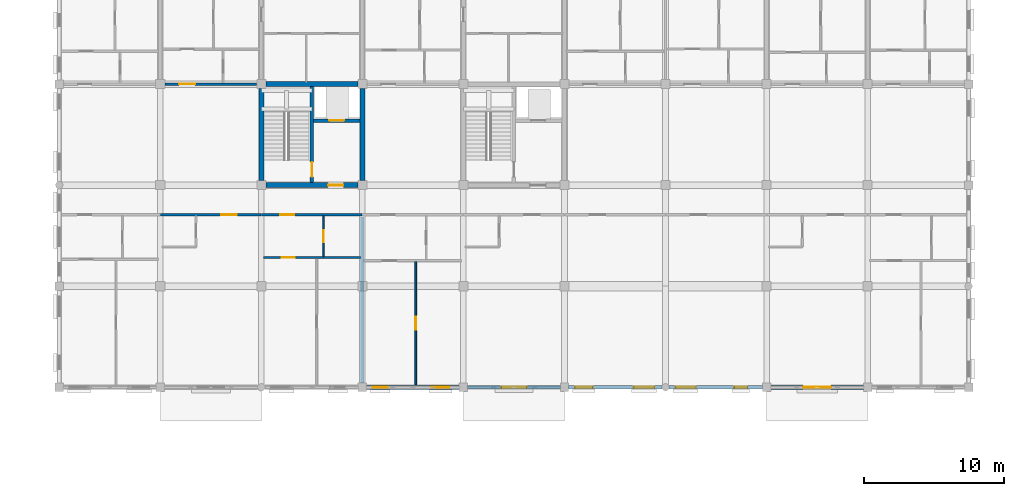
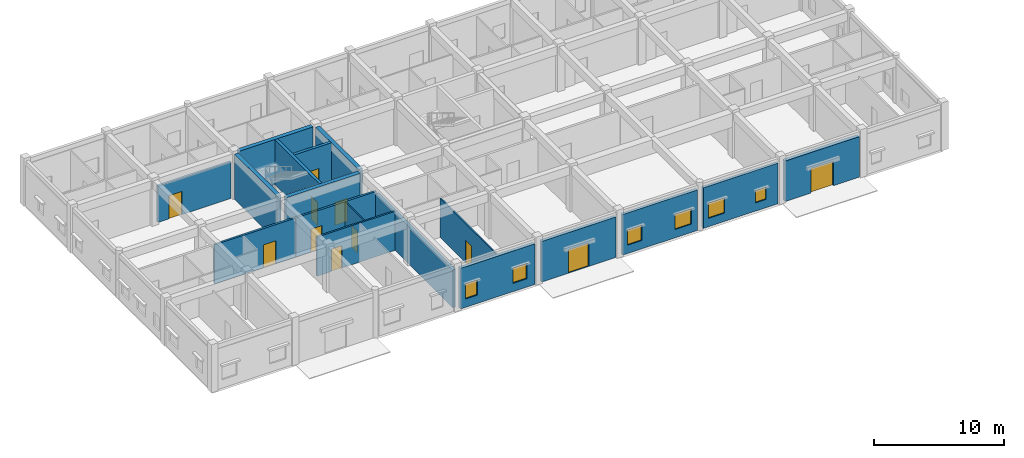
# One storey, part 116 of 138: 18 walls, 11 doors, 6 windows, 17 openings.
"""IFC4 building model written with IfcOpenShell, lengths in metres."""

from ifc_helpers import new_model, si_unit, direction, frame, frame_2d, origin, place, context, subcontext, project, spatial, rectangle, extrude, material, layer, layer_set, type_object, element, fill, save


model = new_model("IFC4")

# Units and contexts
model_context = context("Model", 3, precision=1e-05, world=origin(), true_north=direction((0.0, 1.0)))
body_context = subcontext(model_context, "Body", "Model", "MODEL_VIEW")
ifc_project = project(units=[si_unit("LENGTHUNIT", "METRE"), si_unit("AREAUNIT", "SQUARE_METRE"), si_unit("VOLUMEUNIT", "CUBIC_METRE"), si_unit("PLANEANGLEUNIT", "RADIAN"), si_unit("MASSUNIT", "GRAM", prefix="KILO"), si_unit("THERMODYNAMICTEMPERATUREUNIT", "KELVIN"), si_unit("POWERUNIT", "WATT")], contexts=[model_context])

# Site, building, storey
site_placement = place(None, origin())
site = spatial("IfcSite", under=ifc_project, at=site_placement, CompositionType="ELEMENT")
building_placement = place(site_placement, origin())
building = spatial("IfcBuilding", under=site, at=building_placement, Name="Tavuni Mirador Residences", CompositionType="ELEMENT")
storey_placement = place(building_placement, origin())
storey = spatial("IfcBuildingStorey", under=building, at=storey_placement, Name="L00", CompositionType="ELEMENT", Elevation=0.0)

# Wall, opening, door
ifc_material_1 = material(Name="Precast concrete C40/50", Category="concrete")
ifc_layer_1 = layer(ifc_material_1, 0.25, Name="Precast concrete C40/50", Category="concrete")
ifc_layer_set_1 = layer_set([ifc_layer_1], Name="Precast concrete C40/50")
wall_type_1 = type_object("IfcWallType", Name="WT-COR250", PredefinedType="SHEAR", material=ifc_layer_set_1)
wall_1_placement = place(storey_placement, frame((28.800048828125, 158.580078125, 0.0), z_axis=(0.0, 0.0, 1.0), x_axis=(0.0, 1.0, 0.0)))
wall_1 = element("IfcWall", 1, at=wall_1_placement, inside=storey, type_object=wall_type_1, Name="CWALL-C5-L00-MID", PredefinedType="SHEAR", context=body_context, shape_type="SweptSolid", body=[
    extrude(rectangle(XDim=6.83984375, YDim=0.25, at=frame_2d((3.419921875, 0.0))), origin(), (0.0, 0.0, 1.0), 4.235107421875),
])
opening_1_placement = place(wall_1_placement, frame((0.419921875, 0.0, 0.0)))
opening_1 = element("IfcOpeningElement", 2, at=opening_1_placement, cuts=wall_1, Name="Opening D-01", PredefinedType="OPENING", context=body_context, shape_type="SweptSolid", body=[
    extrude(rectangle(XDim=1.050048828125, YDim=2.14990234375, at=frame_2d((0.52490234375, 1.074951171875))), frame((0.0, 0.135009765625, 0.0), z_axis=(0.0, -1.0, 0.0), x_axis=(1.0, 0.0, 0.0)), (0.0, 0.0, 1.0), 0.27001953125),
])
ifc_material_2 = material(Name="Solid core iroko timber", Category="wood")
door_type_1 = type_object("IfcDoorType", Name="DT-ST1050", OperationType="NOTDEFINED", PredefinedType="DOOR", material=ifc_material_2)
door_1_placement = place(opening_1_placement, frame((1.050048828125, 0.0, 0.0), z_axis=(0.0, 0.0, 1.0), x_axis=(-1.0, 0.0, 0.0)))
door_1 = element("IfcDoor", 3, at=door_1_placement, inside=storey, type_object=door_type_1, Name="DR-2175", OperationType="SINGLE_SWING_LEFT", OverallHeight=2.14990234375, OverallWidth=1.050048828125, PredefinedType="DOOR", context=body_context, shape_type="SweptSolid", body=[
    extrude(rectangle(XDim=1.050048828125, YDim=2.14990234375, at=frame_2d((0.52490234375, 1.074951171875))), frame((0.0, 0.02490234375, 0.0), z_axis=(0.0, -1.0, 0.0), x_axis=(1.0, 0.0, 0.0)), (0.0, 0.0, 1.0), 0.050048828125),
])
fill(opening_1, door_1)

wall_2_placement = place(storey_placement, frame((28.925048828125, 163.0, 0.0), z_axis=(0.0, 0.0, 1.0), x_axis=(1.0, 0.0, 0.0)))
wall_2 = element("IfcWall", 4, at=wall_2_placement, inside=storey, type_object=wall_type_1, Name="CWALL-C5-L00-SHF", PredefinedType="SHEAR", context=body_context, shape_type="SweptSolid", body=[
    extrude(rectangle(XDim=3.294921875, YDim=0.25, at=frame_2d((1.6474609375, 0.0))), origin(), (0.0, 0.0, 1.0), 4.235107421875),
])
opening_2_placement = place(wall_2_placement, frame((1.10009765625, 0.0, 0.0)))
opening_2 = element("IfcOpeningElement", 5, at=opening_2_placement, cuts=wall_2, Name="Opening LD-01", PredefinedType="OPENING", context=body_context, shape_type="SweptSolid", body=[
    extrude(rectangle(XDim=1.10009765625, YDim=2.199951171875, at=frame_2d((0.550048828125, 1.10009765625))), frame((0.0, 0.135009765625, 0.0), z_axis=(0.0, -1.0, 0.0), x_axis=(1.0, 0.0, 0.0)), (0.0, 0.0, 1.0), 0.27001953125),
])
ifc_material_3 = material(Name="Structural steel S355", Category="steel")
door_type_2 = type_object("IfcDoorType", Name="DT-LD-FF", OperationType="SLIDING_TO_LEFT", PredefinedType="DOOR", material=ifc_material_3)
door_2_placement = place(opening_2_placement, origin())
door_2 = element("IfcDoor", 6, at=door_2_placement, inside=storey, type_object=door_type_2, Name="Lift landing door FL-C1 L00", OperationType="SLIDING_TO_LEFT", OverallHeight=2.199951171875, OverallWidth=1.10009765625, PredefinedType="DOOR", context=body_context, shape_type="SweptSolid", body=[
    extrude(rectangle(XDim=1.10009765625, YDim=2.199951171875, at=frame_2d((0.550048828125, 1.10009765625))), frame((0.0, 0.02490234375, 0.0), z_axis=(0.0, -1.0, 0.0), x_axis=(1.0, 0.0, 0.0)), (0.0, 0.0, 1.0), 0.050048828125),
])
fill(opening_2, door_2)

# Walls
ifc_layer_2 = layer(ifc_material_1, 0.360107421875, Name="Precast concrete C40/50", Category="concrete")
ifc_layer_set_2 = layer_set([ifc_layer_2], Name="Precast concrete C40/50")
wall_type_2 = type_object("IfcWallType", Name="WT-COR360", PredefinedType="SHEAR", material=ifc_layer_set_2)
wall_3_placement = place(storey_placement, frame((25.199951171875, 158.72509765625, 0.0), z_axis=(0.0, 0.0, 1.0), x_axis=(0.0, 1.0, 0.0)))
element("IfcWall", 7, at=wall_3_placement, inside=storey, type_object=wall_type_2, Name="CWALL-C5-L00-W", PredefinedType="SHEAR", context=body_context, shape_type="SweptSolid", body=[
    extrude(rectangle(XDim=6.5498046875, YDim=0.360107421875, at=frame_2d((3.27490234375, 0.0))), origin(), (0.0, 0.0, 1.0), 4.235107421875),
])
wall_4_placement = place(storey_placement, frame((25.52490234375, 165.60009765625, 0.0), z_axis=(0.0, 0.0, 1.0), x_axis=(1.0, 0.0, 0.0)))
element("IfcWall", 8, at=wall_4_placement, inside=storey, type_object=wall_type_2, Name="CWALL-C5-L00-N", PredefinedType="SHEAR", context=body_context, shape_type="SweptSolid", body=[
    extrude(rectangle(XDim=6.550048828125, YDim=0.360107421875, at=frame_2d((3.27490234375, 0.0))), origin(), (0.0, 0.0, 1.0), 4.235107421875),
])
wall_5_placement = place(storey_placement, frame((32.39990234375, 158.72509765625, 0.0), z_axis=(0.0, 0.0, 1.0), x_axis=(0.0, 1.0, 0.0)))
element("IfcWall", 9, at=wall_5_placement, inside=storey, type_object=wall_type_2, Name="CWALL-C5-L00-E", PredefinedType="SHEAR", context=body_context, shape_type="SweptSolid", body=[
    extrude(rectangle(XDim=6.5498046875, YDim=0.360107421875, at=frame_2d((3.27490234375, 0.0))), origin(), (0.0, 0.0, 1.0), 4.235107421875),
])

# Wall, opening, door
wall_6_placement = place(storey_placement, frame((25.52490234375, 158.39990234375, 0.0), z_axis=(0.0, 0.0, 1.0), x_axis=(1.0, 0.0, 0.0)))
wall_6 = element("IfcWall", 10, at=wall_6_placement, inside=storey, type_object=wall_type_2, Name="CWALL-C5-L00-SS", PredefinedType="SHEAR", context=body_context, shape_type="SweptSolid", body=[
    extrude(rectangle(XDim=6.550048828125, YDim=0.360107421875, at=frame_2d((3.27490234375, 0.0))), origin(), (0.0, 0.0, 1.0), 4.235107421875),
])
opening_3_placement = place(wall_6_placement, frame((4.425048828125, 0.0, 0.0)))
opening_3 = element("IfcOpeningElement", 11, at=opening_3_placement, cuts=wall_6, Name="Opening D-02", PredefinedType="OPENING", context=body_context, shape_type="SweptSolid", body=[
    extrude(rectangle(XDim=1.10009765625, YDim=2.14990234375, at=frame_2d((0.550048828125, 1.074951171875))), frame((0.0, 0.18994140625, 0.0), z_axis=(0.0, -1.0, 0.0), x_axis=(1.0, 0.0, 0.0)), (0.0, 0.0, 1.0), 0.380126953125),
])
door_type_3 = type_object("IfcDoorType", Name="DT-LOB1100", OperationType="NOTDEFINED", PredefinedType="DOOR", material=ifc_material_2)
door_3_placement = place(opening_3_placement, frame((1.10009765625, 0.0, 0.0), z_axis=(0.0, 0.0, 1.0), x_axis=(-1.0, 0.0, 0.0)))
door_3 = element("IfcDoor", 12, at=door_3_placement, inside=storey, type_object=door_type_3, Name="DR-2174", OperationType="SINGLE_SWING_RIGHT", OverallHeight=2.14990234375, OverallWidth=1.10009765625, PredefinedType="DOOR", context=body_context, shape_type="SweptSolid", body=[
    extrude(rectangle(XDim=1.10009765625, YDim=2.14990234375, at=frame_2d((0.550048828125, 1.074951171875))), frame((0.0, 0.02490234375, 0.0), z_axis=(0.0, -1.0, 0.0), x_axis=(1.0, 0.0, 0.0)), (0.0, 0.0, 1.0), 0.050048828125),
])
fill(opening_3, door_3)

ifc_layer_3 = layer(ifc_material_1, 0.18505859375, Name="Precast concrete C40/50", Category="concrete")
ifc_layer_set_3 = layer_set([ifc_layer_3], Name="Precast concrete C40/50")
wall_type_3 = type_object("IfcWallType", Name="WT-CORR185", PredefinedType="PARTITIONING", material=ifc_layer_set_3)
wall_7_placement = place(storey_placement, frame((18.02001953125, 156.300048828125, 0.0), z_axis=(0.0, 0.0, 1.0), x_axis=(1.0, 0.0, 0.0)))
wall_7 = element("IfcWall", 13, at=wall_7_placement, inside=storey, type_object=wall_type_3, Name="CORW-BLK-C-L00-0-01", PredefinedType="PARTITIONING", context=body_context, shape_type="SweptSolid", body=[
    extrude(rectangle(XDim=7.159912109375, YDim=0.18505859375, at=frame_2d((3.580078125, 0.0))), origin(), (0.0, 0.0, 1.0), 3.669921875),
])
opening_4_placement = place(wall_7_placement, frame((4.330078125, 0.0, 0.0)))
opening_4 = element("IfcOpeningElement", 14, at=opening_4_placement, cuts=wall_7, Name="Opening D-02", PredefinedType="OPENING", context=body_context, shape_type="SweptSolid", body=[
    extrude(rectangle(XDim=1.10009765625, YDim=2.14990234375, at=frame_2d((0.550048828125, 1.074951171875))), frame((0.0, 0.1025390625, 0.0), z_axis=(0.0, -1.0, 0.0), x_axis=(1.0, 0.0, 0.0)), (0.0, 0.0, 1.0), 0.205078125),
])
door_4_placement = place(opening_4_placement, origin())
door_4 = element("IfcDoor", 15, at=door_4_placement, inside=storey, type_object=door_type_3, Name="DR-2612", OperationType="SINGLE_SWING_LEFT", OverallHeight=2.14990234375, OverallWidth=1.10009765625, PredefinedType="DOOR", context=body_context, shape_type="SweptSolid", body=[
    extrude(rectangle(XDim=1.10009765625, YDim=2.14990234375, at=frame_2d((0.550048828125, 1.074951171875))), frame((0.0, 0.02490234375, 0.0), z_axis=(0.0, -1.0, 0.0), x_axis=(1.0, 0.0, 0.0)), (0.0, 0.0, 1.0), 0.050048828125),
])
fill(opening_4, door_4)

wall_8_placement = place(storey_placement, frame((25.219970703125, 156.300048828125, 0.0), z_axis=(0.0, 0.0, 1.0), x_axis=(1.0, 0.0, 0.0)))
wall_8 = element("IfcWall", 16, at=wall_8_placement, inside=storey, type_object=wall_type_3, Name="CORW-BLK-C-L00-0-02", PredefinedType="PARTITIONING", context=body_context, shape_type="SweptSolid", body=[
    extrude(rectangle(XDim=7.159912109375, YDim=0.18505859375, at=frame_2d((3.580078125, 0.0))), origin(), (0.0, 0.0, 1.0), 3.669921875),
])
opening_5_placement = place(wall_8_placement, frame((1.330078125, 0.0, 0.0)))
opening_5 = element("IfcOpeningElement", 17, at=opening_5_placement, cuts=wall_8, Name="Opening D-03", PredefinedType="OPENING", context=body_context, shape_type="SweptSolid", body=[
    extrude(rectangle(XDim=1.0, YDim=2.14990234375, at=frame_2d((0.5, 1.074951171875))), frame((0.0, 0.1025390625, 0.0), z_axis=(0.0, -1.0, 0.0), x_axis=(1.0, 0.0, 0.0)), (0.0, 0.0, 1.0), 0.205078125),
])
door_type_4 = type_object("IfcDoorType", Name="DT-FD60-1000", OperationType="NOTDEFINED", PredefinedType="DOOR", material=ifc_material_2)
door_5_placement = place(opening_5_placement, origin())
door_5 = element("IfcDoor", 18, at=door_5_placement, inside=storey, type_object=door_type_4, Name="DR-2613", OperationType="SINGLE_SWING_RIGHT", OverallHeight=2.14990234375, OverallWidth=1.0, PredefinedType="DOOR", context=body_context, shape_type="SweptSolid", body=[
    extrude(rectangle(XDim=1.0, YDim=2.14990234375, at=frame_2d((0.5, 1.074951171875))), frame((0.0, 0.02490234375, 0.0), z_axis=(0.0, -1.0, 0.0), x_axis=(1.0, 0.0, 0.0)), (0.0, 0.0, 1.0), 0.050048828125),
])
fill(opening_5, door_5)

wall_9_placement = place(storey_placement, frame((18.35009765625, 165.60009765625, 0.0), z_axis=(0.0, 0.0, 1.0), x_axis=(1.0, 0.0, 0.0)))
wall_9 = element("IfcWall", 19, at=wall_9_placement, inside=storey, type_object=wall_type_3, Name="CORW-BLK-C-L00-1-01", PredefinedType="PARTITIONING", context=body_context, shape_type="SweptSolid", body=[
    extrude(rectangle(XDim=6.5, YDim=0.18505859375, at=frame_2d((3.25, 0.0))), origin(), (0.0, 0.0, 1.0), 3.43505859375),
])
opening_6_placement = place(wall_9_placement, frame((1.0, 0.0, 0.0)))
opening_6 = element("IfcOpeningElement", 20, at=opening_6_placement, cuts=wall_9, Name="Opening D-20", PredefinedType="OPENING", context=body_context, shape_type="SweptSolid", body=[
    extrude(rectangle(XDim=1.139892578125, YDim=2.179931640625, at=frame_2d((0.56982421875, 1.08984375))), frame((0.0, 0.1025390625, 0.0), z_axis=(0.0, -1.0, 0.0), x_axis=(1.0, 0.0, 0.0)), (0.0, 0.0, 1.0), 0.205078125),
])
door_type_5 = type_object("IfcDoorType", Name="DT-FD60-1140", OperationType="NOTDEFINED", PredefinedType="DOOR", material=ifc_material_2)
door_6_placement = place(opening_6_placement, origin())
door_6 = element("IfcDoor", 21, at=door_6_placement, inside=storey, type_object=door_type_5, Name="DR-2621", OperationType="SINGLE_SWING_RIGHT", OverallHeight=2.179931640625, OverallWidth=1.139892578125, PredefinedType="DOOR", context=body_context, shape_type="SweptSolid", body=[
    extrude(rectangle(XDim=1.139892578125, YDim=2.179931640625, at=frame_2d((0.56982421875, 1.08984375))), frame((0.0, 0.02490234375, 0.0), z_axis=(0.0, -1.0, 0.0), x_axis=(1.0, 0.0, 0.0)), (0.0, 0.0, 1.0), 0.050048828125),
])
fill(opening_6, door_6)

ifc_layer_4 = layer(ifc_material_1, 0.330078125, Name="Precast concrete C40/50", Category="concrete")
ifc_layer_set_4 = layer_set([ifc_layer_4], Name="Precast concrete C40/50")
wall_type_4 = type_object("IfcWallType", Name="WT-EXT-COR330", PredefinedType="SOLIDWALL", material=ifc_layer_set_4)
wall_10_placement = place(storey_placement, frame((61.5, 144.0, 0.0), z_axis=(0.0, 0.0, 1.0), x_axis=(1.0, 0.0, 0.0)))
wall_10 = element("IfcWall", 22, at=wall_10_placement, inside=storey, type_object=wall_type_4, Name="EW-BLK-C-L00-S07", PredefinedType="SOLIDWALL", context=body_context, shape_type="SweptSolid", body=[
    extrude(rectangle(XDim=6.60009765625, YDim=0.330078125, at=frame_2d((3.300048828125, 0.0))), origin(), (0.0, 0.0, 1.0), 3.804931640625),
])
opening_7_placement = place(wall_10_placement, frame((2.300048828125, 0.0, 0.0)))
opening_7 = element("IfcOpeningElement", 23, at=opening_7_placement, cuts=wall_10, Name="Opening EX-03", PredefinedType="OPENING", context=body_context, shape_type="SweptSolid", body=[
    extrude(rectangle(XDim=2.0, YDim=2.300048828125, at=frame_2d((1.0, 1.14990234375))), frame((0.0, 0.175048828125, 0.0), z_axis=(0.0, -1.0, 0.0), x_axis=(1.0, 0.0, 0.0)), (0.0, 0.0, 1.0), 0.35009765625),
])
ifc_material_4 = material(Name="Anodised aluminium", Category="aluminium")
door_type_6 = type_object("IfcDoorType", Name="DT-EX2000", OperationType="DOUBLE_DOOR_SINGLE_SWING", PredefinedType="DOOR", material=ifc_material_4)
door_7_placement = place(opening_7_placement, frame((2.0, 0.0, 0.0), z_axis=(0.0, 0.0, 1.0), x_axis=(-1.0, 0.0, 0.0)))
door_7 = element("IfcDoor", 24, at=door_7_placement, inside=storey, type_object=door_type_6, Name="Final exit door EX-012", OperationType="DOUBLE_DOOR_SINGLE_SWING", OverallHeight=2.300048828125, OverallWidth=2.0, PredefinedType="DOOR", context=body_context, shape_type="SweptSolid", body=[
    extrude(rectangle(XDim=2.0, YDim=2.300048828125, at=frame_2d((1.0, 1.14990234375))), frame((0.0, 0.02490234375, 0.0), z_axis=(0.0, -1.0, 0.0), x_axis=(1.0, 0.0, 0.0)), (0.0, 0.0, 1.0), 0.050048828125),
])
fill(opening_7, door_7)

# Wall, openings, windows
ifc_material_5 = material(Name="Sgraffito lime-rendered precast concrete C40/50", Category="concrete")
ifc_layer_5 = layer(ifc_material_5, 0.2451171875, Name="Sgraffito lime-rendered precast concrete C40/50", Category="concrete")
ifc_layer_set_5 = layer_set([ifc_layer_5], Name="Sgraffito lime-rendered precast concrete C40/50")
wall_type_5 = type_object("IfcWallType", Name="WT-EXT-PC245", PredefinedType="SOLIDWALL", material=ifc_layer_set_5)
wall_11_placement = place(storey_placement, frame((54.260009765625, 144.0, 0.0), z_axis=(0.0, 0.0, 1.0), x_axis=(1.0, 0.0, 0.0)))
wall_11 = element("IfcWall", 25, at=wall_11_placement, inside=storey, type_object=wall_type_5, Name="EW-BLK-C-L00-S06", PredefinedType="SOLIDWALL", context=body_context, shape_type="SweptSolid", body=[
    extrude(rectangle(XDim=6.639892578125, YDim=0.2451171875, at=frame_2d((3.31982421875, 0.0))), origin(), (0.0, 0.0, 1.0), 3.804931640625),
])
opening_8_placement = place(wall_11_placement, frame((0.449951171875, 0.0, 0.780029296875)))
opening_8 = element("IfcOpeningElement", 26, at=opening_8_placement, cuts=wall_11, Name="Opening WN-30", PredefinedType="OPENING", context=body_context, shape_type="SweptSolid", body=[
    extrude(rectangle(XDim=1.449951171875, YDim=1.43994140625, at=frame_2d((0.72509765625, 0.719970703125))), frame((0.0, 0.132568359375, 0.0), z_axis=(0.0, -1.0, 0.0), x_axis=(1.0, 0.0, 0.0)), (0.0, 0.0, 1.0), 0.26513671875),
])
opening_9_placement = place(wall_11_placement, frame((4.64990234375, 0.0, 0.780029296875)))
opening_9 = element("IfcOpeningElement", 27, at=opening_9_placement, cuts=wall_11, Name="Opening WN-02", PredefinedType="OPENING", context=body_context, shape_type="SweptSolid", body=[
    extrude(rectangle(XDim=0.919921875, YDim=1.14990234375, at=frame_2d((0.4599609375, 0.574951171875))), frame((0.0, 0.132568359375, 0.0), z_axis=(0.0, -1.0, 0.0), x_axis=(1.0, 0.0, 0.0)), (0.0, 0.0, 1.0), 0.26513671875),
])
ifc_material_6 = material(Name="Laminated solar-control glass", Category="glass")
window_type_1 = type_object("IfcWindowType", Name="WNT-02", PartitioningType="SINGLE_PANEL", PredefinedType="WINDOW", material=ifc_material_6)
window_1_placement = place(opening_9_placement, origin())
window_1 = element("IfcWindow", 28, at=window_1_placement, inside=storey, type_object=window_type_1, Name="WIN-0810", OverallHeight=1.14990234375, OverallWidth=0.919921875, PartitioningType="SINGLE_PANEL", PredefinedType="WINDOW", context=body_context, shape_type="SweptSolid", body=[
    extrude(rectangle(XDim=0.919921875, YDim=1.14990234375, at=frame_2d((0.4599609375, 0.574951171875))), frame((0.0, 0.030029296875, 0.0), z_axis=(0.0, -1.0, 0.0), x_axis=(1.0, 0.0, 0.0)), (0.0, 0.0, 1.0), 0.06005859375),
])
fill(opening_9, window_1)
window_type_2 = type_object("IfcWindowType", Name="WNT-30", PartitioningType="SINGLE_PANEL", PredefinedType="WINDOW", material=ifc_material_6)
window_2_placement = place(opening_8_placement, origin())
window_2 = element("IfcWindow", 29, at=window_2_placement, inside=storey, type_object=window_type_2, Name="WIN-0809", OverallHeight=1.43994140625, OverallWidth=1.449951171875, PartitioningType="SINGLE_PANEL", PredefinedType="WINDOW", context=body_context, shape_type="SweptSolid", body=[
    extrude(rectangle(XDim=1.449951171875, YDim=1.43994140625, at=frame_2d((0.72509765625, 0.719970703125))), frame((0.0, 0.030029296875, 0.0), z_axis=(0.0, -1.0, 0.0), x_axis=(1.0, 0.0, 0.0)), (0.0, 0.0, 1.0), 0.06005859375),
])
fill(opening_8, window_2)

ifc_layer_6 = layer(ifc_material_5, 0.2548828125, Name="Sgraffito lime-rendered precast concrete C40/50", Category="concrete")
ifc_layer_set_6 = layer_set([ifc_layer_6], Name="Sgraffito lime-rendered precast concrete C40/50")
wall_type_6 = type_object("IfcWallType", Name="WT-EXT-PC255", PredefinedType="SOLIDWALL", material=ifc_layer_set_6)
wall_12_placement = place(storey_placement, frame((47.10009765625, 144.0, 0.0), z_axis=(0.0, 0.0, 1.0), x_axis=(1.0, 0.0, 0.0)))
wall_12 = element("IfcWall", 30, at=wall_12_placement, inside=storey, type_object=wall_type_6, Name="EW-BLK-C-L00-S05", PredefinedType="SOLIDWALL", context=body_context, shape_type="SweptSolid", body=[
    extrude(rectangle(XDim=6.639892578125, YDim=0.2548828125, at=frame_2d((3.31982421875, 0.0))), origin(), (0.0, 0.0, 1.0), 3.804931640625),
])
opening_10_placement = place(wall_12_placement, frame((0.449951171875, 0.0, 0.780029296875)))
opening_10 = element("IfcOpeningElement", 31, at=opening_10_placement, cuts=wall_12, Name="Opening WN-28", PredefinedType="OPENING", context=body_context, shape_type="SweptSolid", body=[
    extrude(rectangle(XDim=1.25, YDim=1.43994140625, at=frame_2d((0.625, 0.719970703125))), frame((0.0, 0.137451171875, 0.0), z_axis=(0.0, -1.0, 0.0), x_axis=(1.0, 0.0, 0.0)), (0.0, 0.0, 1.0), 0.27490234375),
])
opening_11_placement = place(wall_12_placement, frame((4.64990234375, 0.0, 0.780029296875)))
opening_11 = element("IfcOpeningElement", 32, at=opening_11_placement, cuts=wall_12, Name="Opening WN-30", PredefinedType="OPENING", context=body_context, shape_type="SweptSolid", body=[
    extrude(rectangle(XDim=1.449951171875, YDim=1.43994140625, at=frame_2d((0.72509765625, 0.719970703125))), frame((0.0, 0.137451171875, 0.0), z_axis=(0.0, -1.0, 0.0), x_axis=(1.0, 0.0, 0.0)), (0.0, 0.0, 1.0), 0.27490234375),
])
window_type_3 = type_object("IfcWindowType", Name="WNT-28", PartitioningType="SINGLE_PANEL", PredefinedType="WINDOW", material=ifc_material_6)
window_3_placement = place(opening_10_placement, origin())
window_3 = element("IfcWindow", 33, at=window_3_placement, inside=storey, type_object=window_type_3, Name="WIN-0807", OverallHeight=1.43994140625, OverallWidth=1.25, PartitioningType="SINGLE_PANEL", PredefinedType="WINDOW", context=body_context, shape_type="SweptSolid", body=[
    extrude(rectangle(XDim=1.25, YDim=1.43994140625, at=frame_2d((0.625, 0.719970703125))), frame((0.0, 0.030029296875, 0.0), z_axis=(0.0, -1.0, 0.0), x_axis=(1.0, 0.0, 0.0)), (0.0, 0.0, 1.0), 0.06005859375),
])
fill(opening_10, window_3)
window_4_placement = place(opening_11_placement, origin())
window_4 = element("IfcWindow", 34, at=window_4_placement, inside=storey, type_object=window_type_2, Name="WIN-0808", OverallHeight=1.43994140625, OverallWidth=1.449951171875, PartitioningType="SINGLE_PANEL", PredefinedType="WINDOW", context=body_context, shape_type="SweptSolid", body=[
    extrude(rectangle(XDim=1.449951171875, YDim=1.43994140625, at=frame_2d((0.72509765625, 0.719970703125))), frame((0.0, 0.030029296875, 0.0), z_axis=(0.0, -1.0, 0.0), x_axis=(1.0, 0.0, 0.0)), (0.0, 0.0, 1.0), 0.06005859375),
])
fill(opening_11, window_4)

# Wall, opening, door
ifc_layer_7 = layer(ifc_material_5, 0.27490234375, Name="Sgraffito lime-rendered precast concrete C40/50", Category="concrete")
ifc_layer_set_7 = layer_set([ifc_layer_7], Name="Sgraffito lime-rendered precast concrete C40/50")
wall_type_7 = type_object("IfcWallType", Name="WT-EXT-PC275", PredefinedType="SOLIDWALL", material=ifc_layer_set_7)
wall_13_placement = place(storey_placement, frame((39.89990234375, 144.0, 0.0), z_axis=(0.0, 0.0, 1.0), x_axis=(1.0, 0.0, 0.0)))
wall_13 = element("IfcWall", 35, at=wall_13_placement, inside=storey, type_object=wall_type_7, Name="EW-BLK-C-L00-S04", PredefinedType="SOLIDWALL", context=body_context, shape_type="SweptSolid", body=[
    extrude(rectangle(XDim=6.60009765625, YDim=0.27490234375, at=frame_2d((3.300048828125, 0.0))), origin(), (0.0, 0.0, 1.0), 3.804931640625),
])
opening_12_placement = place(wall_13_placement, frame((2.39990234375, 0.0, 0.0)))
opening_12 = element("IfcOpeningElement", 36, at=opening_12_placement, cuts=wall_13, Name="Opening EX-02", PredefinedType="OPENING", context=body_context, shape_type="SweptSolid", body=[
    extrude(rectangle(XDim=1.800048828125, YDim=2.199951171875, at=frame_2d((0.89990234375, 1.10009765625))), frame((0.0, 0.1474609375, 0.0), z_axis=(0.0, -1.0, 0.0), x_axis=(1.0, 0.0, 0.0)), (0.0, 0.0, 1.0), 0.294921875),
])
door_type_7 = type_object("IfcDoorType", Name="DT-EX1800", OperationType="DOUBLE_DOOR_SINGLE_SWING", PredefinedType="DOOR", material=ifc_material_2)
door_8_placement = place(opening_12_placement, frame((1.800048828125, 0.0, 0.0), z_axis=(0.0, 0.0, 1.0), x_axis=(-1.0, 0.0, 0.0)))
door_8 = element("IfcDoor", 37, at=door_8_placement, inside=storey, type_object=door_type_7, Name="Final exit door EX-011", OperationType="DOUBLE_DOOR_SINGLE_SWING", OverallHeight=2.199951171875, OverallWidth=1.800048828125, PredefinedType="DOOR", context=body_context, shape_type="SweptSolid", body=[
    extrude(rectangle(XDim=1.800048828125, YDim=2.199951171875, at=frame_2d((0.89990234375, 1.10009765625))), frame((0.0, 0.02490234375, 0.0), z_axis=(0.0, -1.0, 0.0), x_axis=(1.0, 0.0, 0.0)), (0.0, 0.0, 1.0), 0.050048828125),
])
fill(opening_12, door_8)

# Wall, openings, windows
ifc_layer_8 = layer(ifc_material_5, 0.2900390625, Name="Sgraffito lime-rendered precast concrete C40/50", Category="concrete")
ifc_layer_set_8 = layer_set([ifc_layer_8], Name="Sgraffito lime-rendered precast concrete C40/50")
wall_type_8 = type_object("IfcWallType", Name="WT-EXT-PC290", PredefinedType="SOLIDWALL", material=ifc_layer_set_8)
wall_14_placement = place(storey_placement, frame((32.699951171875, 144.0, 0.0), z_axis=(0.0, 0.0, 1.0), x_axis=(1.0, 0.0, 0.0)))
wall_14 = element("IfcWall", 38, at=wall_14_placement, inside=storey, type_object=wall_type_8, Name="EW-BLK-C-L00-S03", PredefinedType="SOLIDWALL", context=body_context, shape_type="SweptSolid", body=[
    extrude(rectangle(XDim=6.60009765625, YDim=0.2900390625, at=frame_2d((3.300048828125, 0.0))), origin(), (0.0, 0.0, 1.0), 3.804931640625),
])
opening_13_placement = place(wall_14_placement, frame((0.449951171875, 0.0, 0.780029296875)))
opening_13 = element("IfcOpeningElement", 39, at=opening_13_placement, cuts=wall_14, Name="Opening WN-26", PredefinedType="OPENING", context=body_context, shape_type="SweptSolid", body=[
    extrude(rectangle(XDim=1.050048828125, YDim=1.43994140625, at=frame_2d((0.52490234375, 0.719970703125))), frame((0.0, 0.155029296875, 0.0), z_axis=(0.0, -1.0, 0.0), x_axis=(1.0, 0.0, 0.0)), (0.0, 0.0, 1.0), 0.31005859375),
])
opening_14_placement = place(wall_14_placement, frame((4.64990234375, 0.0, 0.780029296875)))
opening_14 = element("IfcOpeningElement", 40, at=opening_14_placement, cuts=wall_14, Name="Opening WN-28", PredefinedType="OPENING", context=body_context, shape_type="SweptSolid", body=[
    extrude(rectangle(XDim=1.25, YDim=1.43994140625, at=frame_2d((0.625, 0.719970703125))), frame((0.0, 0.155029296875, 0.0), z_axis=(0.0, -1.0, 0.0), x_axis=(1.0, 0.0, 0.0)), (0.0, 0.0, 1.0), 0.31005859375),
])
window_type_4 = type_object("IfcWindowType", Name="WNT-26", PartitioningType="SINGLE_PANEL", PredefinedType="WINDOW", material=ifc_material_6)
window_5_placement = place(opening_13_placement, origin())
window_5 = element("IfcWindow", 41, at=window_5_placement, inside=storey, type_object=window_type_4, Name="WIN-0805", OverallHeight=1.43994140625, OverallWidth=1.050048828125, PartitioningType="SINGLE_PANEL", PredefinedType="WINDOW", context=body_context, shape_type="SweptSolid", body=[
    extrude(rectangle(XDim=1.050048828125, YDim=1.43994140625, at=frame_2d((0.52490234375, 0.719970703125))), frame((0.0, 0.030029296875, 0.0), z_axis=(0.0, -1.0, 0.0), x_axis=(1.0, 0.0, 0.0)), (0.0, 0.0, 1.0), 0.06005859375),
])
fill(opening_13, window_5)
window_6_placement = place(opening_14_placement, origin())
window_6 = element("IfcWindow", 42, at=window_6_placement, inside=storey, type_object=window_type_3, Name="WIN-0806", OverallHeight=1.43994140625, OverallWidth=1.25, PartitioningType="SINGLE_PANEL", PredefinedType="WINDOW", context=body_context, shape_type="SweptSolid", body=[
    extrude(rectangle(XDim=1.25, YDim=1.43994140625, at=frame_2d((0.625, 0.719970703125))), frame((0.0, 0.030029296875, 0.0), z_axis=(0.0, -1.0, 0.0), x_axis=(1.0, 0.0, 0.0)), (0.0, 0.0, 1.0), 0.06005859375),
])
fill(opening_14, window_6)

# Wall, opening, door
ifc_material_7 = material(Name="Acoustic gypsum and concrete block partition", Category="concrete")
ifc_layer_9 = layer(ifc_material_7, 0.094970703125, Name="Acoustic gypsum and concrete block partition", Category="concrete")
ifc_layer_set_9 = layer_set([ifc_layer_9], Name="Acoustic gypsum and concrete block partition")
wall_type_9 = type_object("IfcWallType", Name="WT-PART095", PredefinedType="PARTITIONING", material=ifc_layer_set_9)
wall_15_placement = place(storey_placement, frame((29.6201171875, 153.31005859375, 0.0), z_axis=(0.0, 0.0, 1.0), x_axis=(0.0, 1.0, 0.0)))
wall_15 = element("IfcWall", 43, at=wall_15_placement, inside=storey, type_object=wall_type_9, Name="PW-BLK-C-L00-S02-IN1", PredefinedType="PARTITIONING", context=body_context, shape_type="SweptSolid", body=[
    extrude(rectangle(XDim=2.89990234375, YDim=0.094970703125, at=frame_2d((1.449951171875, 0.0))), origin(), (0.0, 0.0, 1.0), 3.669921875),
])
opening_15_placement = place(wall_15_placement, frame((1.014892578125, 0.0, 0.0)))
opening_15 = element("IfcOpeningElement", 44, at=opening_15_placement, cuts=wall_15, Name="Opening D-10", PredefinedType="OPENING", context=body_context, shape_type="SweptSolid", body=[
    extrude(rectangle(XDim=0.8701171875, YDim=2.050048828125, at=frame_2d((0.43505859375, 1.02490234375))), frame((0.0, 0.0576171875, 0.0), z_axis=(0.0, -1.0, 0.0), x_axis=(1.0, 0.0, 0.0)), (0.0, 0.0, 1.0), 0.114990234375),
])
door_type_8 = type_object("IfcDoorType", Name="DT-WC870", OperationType="NOTDEFINED", PredefinedType="DOOR", material=ifc_material_2)
door_9_placement = place(opening_15_placement, origin())
door_9 = element("IfcDoor", 45, at=door_9_placement, inside=storey, type_object=door_type_8, Name="DR-3655", OperationType="SINGLE_SWING_RIGHT", OverallHeight=2.050048828125, OverallWidth=0.8701171875, PredefinedType="DOOR", context=body_context, shape_type="SweptSolid", body=[
    extrude(rectangle(XDim=0.8701171875, YDim=2.050048828125, at=frame_2d((0.43505859375, 1.02490234375))), frame((0.0, 0.02490234375, 0.0), z_axis=(0.0, -1.0, 0.0), x_axis=(1.0, 0.0, 0.0)), (0.0, 0.0, 1.0), 0.050048828125),
])
fill(opening_15, door_9)

ifc_layer_10 = layer(ifc_material_7, 0.114990234375, Name="Acoustic gypsum and concrete block partition", Category="concrete")
ifc_layer_set_10 = layer_set([ifc_layer_10], Name="Acoustic gypsum and concrete block partition")
wall_type_10 = type_object("IfcWallType", Name="WT-PART115", PredefinedType="PARTITIONING", material=ifc_layer_set_10)
wall_16_placement = place(storey_placement, frame((36.199951171875, 144.175048828125, 0.0), z_axis=(0.0, 0.0, 1.0), x_axis=(0.0, 1.0, 0.0)))
wall_16 = element("IfcWall", 46, at=wall_16_placement, inside=storey, type_object=wall_type_10, Name="PW-BLK-C-L00-S03-OUT", PredefinedType="PARTITIONING", context=body_context, shape_type="SweptSolid", body=[
    extrude(rectangle(XDim=8.77490234375, YDim=0.114990234375, at=frame_2d((4.387451171875, 0.0))), origin(), (0.0, 0.0, 1.0), 3.669921875),
])
opening_16_placement = place(wall_16_placement, frame((3.9375, 0.0, 0.0)))
opening_16 = element("IfcOpeningElement", 47, at=opening_16_placement, cuts=wall_16, Name="Opening D-07", PredefinedType="OPENING", context=body_context, shape_type="SweptSolid", body=[
    extrude(rectangle(XDim=0.89990234375, YDim=2.10009765625, at=frame_2d((0.449951171875, 1.050048828125))), frame((0.0, 0.0673828125, 0.0), z_axis=(0.0, -1.0, 0.0), x_axis=(1.0, 0.0, 0.0)), (0.0, 0.0, 1.0), 0.135009765625),
])
door_type_9 = type_object("IfcDoorType", Name="DT-BED900", OperationType="NOTDEFINED", PredefinedType="DOOR", material=ifc_material_2)
door_10_placement = place(opening_16_placement, origin())
door_10 = element("IfcDoor", 48, at=door_10_placement, inside=storey, type_object=door_type_9, Name="DR-3659", OperationType="SINGLE_SWING_RIGHT", OverallHeight=2.10009765625, OverallWidth=0.89990234375, PredefinedType="DOOR", context=body_context, shape_type="SweptSolid", body=[
    extrude(rectangle(XDim=0.89990234375, YDim=2.10009765625, at=frame_2d((0.449951171875, 1.050048828125))), frame((0.0, 0.02490234375, 0.0), z_axis=(0.0, -1.0, 0.0), x_axis=(1.0, 0.0, 0.0)), (0.0, 0.0, 1.0), 0.050048828125),
])
fill(opening_16, door_10)

ifc_layer_11 = layer(ifc_material_7, 0.14990234375, Name="Acoustic gypsum and concrete block partition", Category="concrete")
ifc_layer_set_11 = layer_set([ifc_layer_11], Name="Acoustic gypsum and concrete block partition")
wall_type_11 = type_object("IfcWallType", Name="WT-PART150", PredefinedType="PARTITIONING", material=ifc_layer_set_11)
wall_17_placement = place(storey_placement, frame((25.340087890625, 153.239990234375, 0.0), z_axis=(0.0, 0.0, 1.0), x_axis=(1.0, 0.0, 0.0)))
wall_17 = element("IfcWall", 49, at=wall_17_placement, inside=storey, type_object=wall_type_11, Name="PW-BLK-C-L00-S02-MID", PredefinedType="PARTITIONING", context=body_context, shape_type="SweptSolid", body=[
    extrude(rectangle(XDim=6.919921875, YDim=0.14990234375, at=frame_2d((3.4599609375, 0.0))), origin(), (0.0, 0.0, 1.0), 3.669921875),
])
opening_17_placement = place(wall_17_placement, frame((1.31005859375, 0.0, 0.0)))
opening_17 = element("IfcOpeningElement", 50, at=opening_17_placement, cuts=wall_17, Name="Opening D-06", PredefinedType="OPENING", context=body_context, shape_type="SweptSolid", body=[
    extrude(rectangle(XDim=0.919921875, YDim=2.10009765625, at=frame_2d((0.4599609375, 1.050048828125))), frame((0.0, 0.0849609375, 0.0), z_axis=(0.0, -1.0, 0.0), x_axis=(1.0, 0.0, 0.0)), (0.0, 0.0, 1.0), 0.169921875),
])
door_type_10 = type_object("IfcDoorType", Name="DT-INT920", OperationType="NOTDEFINED", PredefinedType="DOOR", material=ifc_material_2)
door_11_placement = place(opening_17_placement, origin())
door_11 = element("IfcDoor", 51, at=door_11_placement, inside=storey, type_object=door_type_10, Name="DR-3656", OperationType="SINGLE_SWING_RIGHT", OverallHeight=2.10009765625, OverallWidth=0.919921875, PredefinedType="DOOR", context=body_context, shape_type="SweptSolid", body=[
    extrude(rectangle(XDim=0.919921875, YDim=2.10009765625, at=frame_2d((0.4599609375, 1.050048828125))), frame((0.0, 0.02490234375, 0.0), z_axis=(0.0, -1.0, 0.0), x_axis=(1.0, 0.0, 0.0)), (0.0, 0.0, 1.0), 0.050048828125),
])
fill(opening_17, door_11)

# Wall
ifc_layer_12 = layer(ifc_material_1, 0.264892578125, Name="Precast concrete C40/50", Category="concrete")
ifc_layer_set_12 = layer_set([ifc_layer_12], Name="Precast concrete C40/50")
wall_type_12 = type_object("IfcWallType", Name="WT-XW265", PredefinedType="SOLIDWALL", material=ifc_layer_set_12)
wall_18_placement = place(storey_placement, frame((32.39990234375, 144.300048828125, 0.0), z_axis=(0.0, 0.0, 1.0), x_axis=(0.0, 1.0, 0.0)))
element("IfcWall", 52, at=wall_18_placement, inside=storey, type_object=wall_type_12, Name="XW-BLK-C-L00-S-03", PredefinedType="SOLIDWALL", context=body_context, shape_type="SweptSolid", body=[
    extrude(rectangle(XDim=11.849853515625, YDim=0.264892578125, at=frame_2d((5.9248046875, 0.0))), origin(), (0.0, 0.0, 1.0), 3.534912109375),
])

save(model, "model.ifc")
